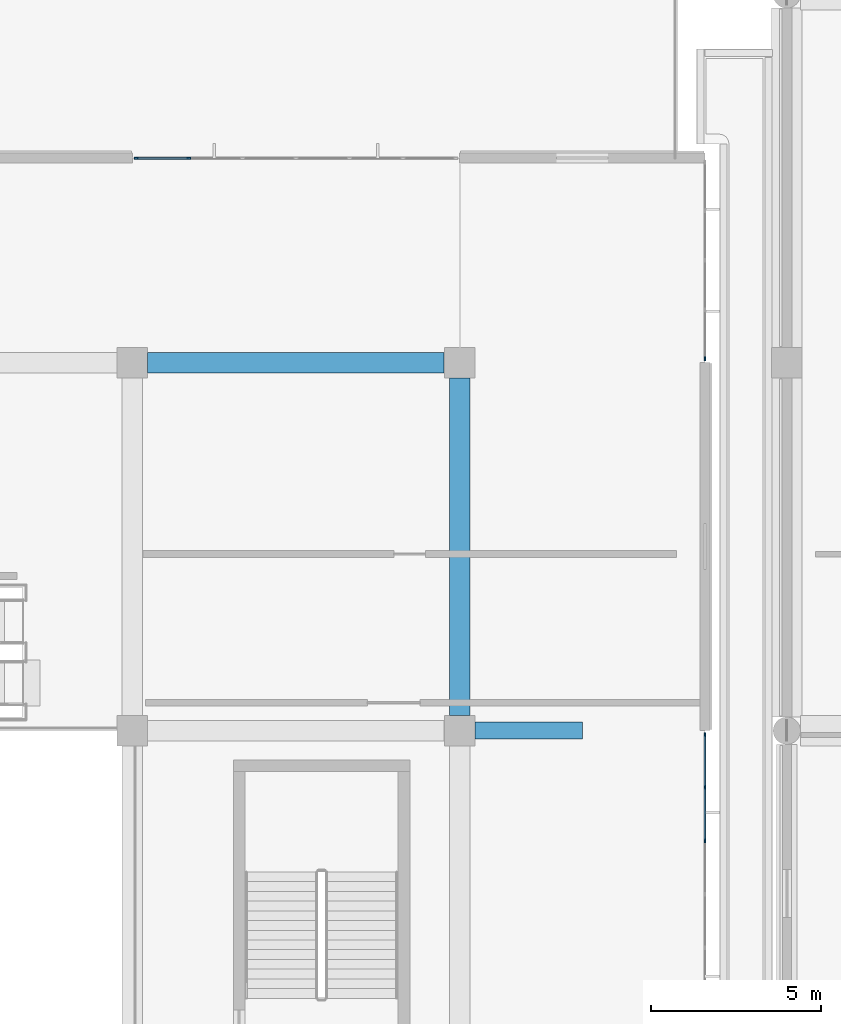
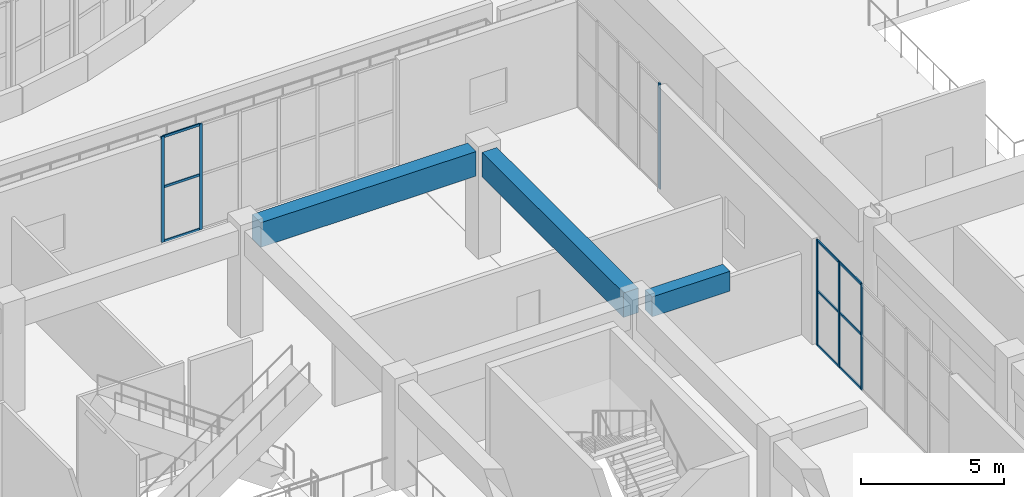
# One storey, part 14 of 96: 15 members, 3 beams, 3 elements without a shape of their own.
"""IFC4 building model written with IfcOpenShell, lengths in metres."""

import ifcopenshell
import ifcopenshell.guid

model = None  # the IFC model being written
_history = None  # IfcOwnerHistory: only IFC2X3 demands one
_inside = {}  # id of a spatial element -> (the spatial element, [elements in it])
_under = {}  # id of a project, library or spatial element -> (it, [spatial elements below it])
_declared = {}  # id of a project -> (the project, [libraries it declares])
_typed = {}  # id of a type object -> (the type object, [elements of that type])
_made_of = {}  # id of a material, layer set ... -> (it, [elements and type objects made of it])


def new_model(schema):
    """Start an empty IFC model of exactly this schema.

    Asked for "IFC4X3", IfcOpenShell would pick the latest addendum, in which some entities
    have other attributes; the version numbers below select the first issue.
    IFC2X3 requires an IfcOwnerHistory on every rooted entity: one is made here for all.
    """
    global model, _history
    if schema == "IFC4X3":
        model = ifcopenshell.file(schema_version=(4, 3, 0, 0))
    else:
        model = ifcopenshell.file(schema=schema)
    _inside.clear()
    _under.clear()
    _declared.clear()
    _typed.clear()
    _made_of.clear()
    _history = None
    if model.schema == "IFC2X3":
        org = make("IfcOrganization", Name="unknown")
        user = make(
            "IfcPersonAndOrganization",
            ThePerson=make("IfcPerson", FamilyName="unknown"),
            TheOrganization=org,
        )
        app = make(
            "IfcApplication",
            ApplicationDeveloper=org,
            Version="unknown",
            ApplicationFullName="unknown",
            ApplicationIdentifier="unknown",
        )
        _history = make(
            "IfcOwnerHistory",
            OwningUser=user,
            OwningApplication=app,
            ChangeAction="ADDED",
            CreationDate=0,
        )
    return model


def make(cls, **values):
    """One entity of the class cls with the attributes given. An attribute that is None is left unset."""
    return model.create_entity(
        cls, **{name: value for name, value in values.items() if value is not None}
    )


def rooted(cls, **values):
    """An entity with a GlobalId (a new one), such as an element, a storey or a relation."""
    return make(cls, GlobalId=ifcopenshell.guid.new(), OwnerHistory=_history, **values)


def si_unit(unit_type, name, prefix=None):
    """IfcSIUnit, for example si_unit("LENGTHUNIT", "METRE", prefix="MILLI")."""
    return make("IfcSIUnit", UnitType=unit_type, Prefix=prefix, Name=name)


def assignment(units):
    """IfcUnitAssignment: the units of a project."""
    return None if units is None else make("IfcUnitAssignment", Units=units)


def point(xyz):
    """IfcCartesianPoint."""
    return None if xyz is None else make("IfcCartesianPoint", Coordinates=xyz)


def direction(xyz):
    """IfcDirection."""
    return None if xyz is None else make("IfcDirection", DirectionRatios=xyz)


def frame(location, z_axis=None, x_axis=None):
    """IfcAxis2Placement3D, a coordinate frame: its origin and axes. An axis left out is left unset."""
    return make(
        "IfcAxis2Placement3D",
        Location=point(location),
        Axis=direction(z_axis),
        RefDirection=direction(x_axis),
    )


def frame_2d(location, x_axis=None):
    """IfcAxis2Placement2D, a coordinate frame in the plane: its origin and x axis."""
    return make(
        "IfcAxis2Placement2D", Location=point(location), RefDirection=direction(x_axis)
    )


def origin():
    """The frame at (0, 0, 0) with its axes left unset."""
    return frame((0.0, 0.0, 0.0))


def origin_2d():
    """The frame at (0, 0) in the plane with its x axis left unset."""
    return frame_2d((0.0, 0.0))


def place(relative_to, where):
    """IfcLocalPlacement: puts the frame where relative to a parent placement (None: the world)."""
    return make(
        "IfcLocalPlacement", PlacementRelTo=relative_to, RelativePlacement=where
    )


def context(
    kind, dimensions, precision=None, world=None, true_north=None, identifier=None
):
    """IfcGeometricRepresentationContext, for example the 3D "Model" context."""
    return make(
        "IfcGeometricRepresentationContext",
        ContextIdentifier=identifier,
        ContextType=kind,
        CoordinateSpaceDimension=dimensions,
        Precision=precision,
        WorldCoordinateSystem=world,
        TrueNorth=true_north,
    )


def subcontext(parent, identifier, kind, view, scale=None):
    """IfcGeometricRepresentationSubContext, for example "Body" below "Model"."""
    return make(
        "IfcGeometricRepresentationSubContext",
        ContextIdentifier=identifier,
        ContextType=kind,
        ParentContext=parent,
        TargetScale=scale,
        TargetView=view,
    )


def project(units=None, contexts=None):
    """IfcProject with its units and contexts."""
    return rooted(
        "IfcProject",
        Name="project",
        RepresentationContexts=contexts,
        UnitsInContext=assignment(units),
    )


def spatial(cls, under=None, at=None, **own):
    """A site, building, storey or space (cls), placed at a placement, below another one or the project."""
    s = rooted(cls, ObjectPlacement=at, **own)
    if under is not None:
        _under.setdefault(under.id(), (under, []))[1].append(s)
    return s


def profile(cls, at=None, kind="AREA", **sizes):
    """A parametric profile (cls). Its sizes go by their IFC names, for example OverallWidth=200.0."""
    return make(cls, ProfileType=kind, Position=at, **sizes)


def rectangle(**sizes):
    """IfcRectangleProfileDef."""
    return profile("IfcRectangleProfileDef", **sizes)


def extrude(swept, where, along, depth):
    """IfcExtrudedAreaSolid: the profile swept, set in the frame where, extruded along a direction by depth."""
    return make(
        "IfcExtrudedAreaSolid",
        SweptArea=swept,
        Position=where,
        ExtrudedDirection=direction(along),
        Depth=depth,
    )


def shape(context_of_items, identifier, shape_type, items):
    """IfcShapeRepresentation: the items that make up one representation, for example the "Body"."""
    return make(
        "IfcShapeRepresentation",
        ContextOfItems=context_of_items,
        RepresentationIdentifier=identifier,
        RepresentationType=shape_type,
        Items=items,
    )


def material(Name=None, Category=None):
    """IfcMaterial."""
    return make("IfcMaterial", Name=Name, Category=Category)


def layer(
    of_material, thickness, ventilated=None, Name=None, Category=None, Priority=None
):
    """IfcMaterialLayer: one layer of a wall or slab, of a material (None: an air gap)."""
    return make(
        "IfcMaterialLayer",
        Material=of_material,
        LayerThickness=thickness,
        IsVentilated=ventilated,
        Name=Name,
        Category=Category,
        Priority=Priority,
    )


def layer_set(layers, Name=None):
    """IfcMaterialLayerSet."""
    return make("IfcMaterialLayerSet", MaterialLayers=layers, LayerSetName=Name)


def material_profile(
    of_material, cross_section, Name=None, Category=None, Priority=None
):
    """IfcMaterialProfile: a cross section and its material."""
    return make(
        "IfcMaterialProfile",
        Name=Name,
        Material=of_material,
        Profile=cross_section,
        Priority=Priority,
        Category=Category,
    )


def profile_set(profiles, Name=None, composite=None):
    """IfcMaterialProfileSet."""
    return make(
        "IfcMaterialProfileSet",
        Name=Name,
        MaterialProfiles=profiles,
        CompositeProfile=composite,
    )


def made_of(thing, what):
    """Note that an element or type object is made of a material, layer set ...; save() writes the relation."""
    if what is not None:
        _made_of.setdefault(what.id(), (what, []))[1].append(thing)
    return thing


def type_object(cls, material=None, **own):
    """A type object (cls), such as IfcWallType, which elements share."""
    return made_of(rooted(cls, **own), material)


def element(
    cls,
    number,
    at=None,
    inside=None,
    cuts=None,
    type_object=None,
    material=None,
    context=None,
    identifier="Body",
    shape_type=None,
    held_by="IfcProductDefinitionShape",
    body=None,
    shapes=None,
    **own,
):
    """One element of the class cls, such as IfcWall. Its Tag is "e" and its number.

    at: its placement. inside: the storey or other place that contains it. cuts: it is an
    opening in that element (IfcRelVoidsElement). A single representation is given by context,
    identifier, shape_type and body (its items); several are given by shapes. held_by: the class
    of the entity that holds the representations. save() writes the other relations.
    """
    e = rooted(cls, Tag="e%d" % number, ObjectPlacement=at, **own)
    if body is not None:
        shapes = [shape(context, identifier, shape_type, body)]
    if shapes is not None:
        e.Representation = make(held_by, Representations=shapes)
    if inside is not None:
        _inside.setdefault(inside.id(), (inside, []))[1].append(e)
    if cuts is not None:
        rooted(
            "IfcRelVoidsElement", RelatingBuildingElement=cuts, RelatedOpeningElement=e
        )
    if type_object is not None:
        _typed.setdefault(type_object.id(), (type_object, []))[1].append(e)
    return made_of(e, material)


def aggregate(whole, parts):
    """IfcRelAggregates: a whole, such as a stair, and the parts it consists of."""
    return rooted("IfcRelAggregates", RelatingObject=whole, RelatedObjects=parts)


def save(model, path):
    """Write the relations noted so far, then the file.

    IfcRelAggregates (storeys below a building ...), IfcRelContainedInSpatialStructure (elements
    in a storey), IfcRelDefinesByType, IfcRelAssociatesMaterial and IfcRelDeclares: one each for
    every whole, place, type object, material and project.
    """
    for whole, parts in _under.values():
        aggregate(whole, parts)
    for where, things in _inside.values():
        rooted(
            "IfcRelContainedInSpatialStructure",
            RelatedElements=things,
            RelatingStructure=where,
        )
    for kind, things in _typed.values():
        rooted("IfcRelDefinesByType", RelatedObjects=things, RelatingType=kind)
    for what, things in _made_of.values():
        rooted("IfcRelAssociatesMaterial", RelatedObjects=things, RelatingMaterial=what)
    for by, libraries in _declared.values():
        rooted("IfcRelDeclares", RelatingContext=by, RelatedDefinitions=libraries)
    model.write(path)


model = new_model("IFC4")

# Units and contexts
model_context = context("Model", 3, precision=1e-05, world=origin(), true_north=direction((0.0, 1.0)))
body_context = subcontext(model_context, "Body", "Model", "MODEL_VIEW")
ifc_project = project(units=[si_unit("LENGTHUNIT", "METRE"), si_unit("AREAUNIT", "SQUARE_METRE"), si_unit("VOLUMEUNIT", "CUBIC_METRE"), si_unit("PLANEANGLEUNIT", "RADIAN"), si_unit("MASSUNIT", "GRAM", prefix="KILO")], contexts=[model_context])

# Site, building, storey
site_placement = place(None, origin())
site = spatial("IfcSite", under=ifc_project, at=site_placement, CompositionType="ELEMENT")
building_placement = place(site_placement, origin())
building = spatial("IfcBuilding", under=site, at=building_placement, Name="Cendralis Terraced Arcade", CompositionType="ELEMENT")
storey_placement = place(building_placement, frame((0.0, 0.0, 10.199951171875)))
storey = spatial("IfcBuildingStorey", under=building, at=storey_placement, Name="L02", CompositionType="ELEMENT", Elevation=10.199951171875)

# Beams
ifc_material_1 = material(Name="Concrete f'c 35 MPa", Category="concrete")
ifc_material_profile_1 = material_profile(ifc_material_1, rectangle(XDim=0.60009765625, YDim=1.050048828125, at=origin_2d()), Name="RC-BM-600x1050", Category="LoadBearing")
ifc_profile_set_1 = profile_set([ifc_material_profile_1], Name="Concrete f'c 35 MPa")
beam_type_1 = type_object("IfcBeamType", Name="BM-600x1050", PredefinedType="JOIST", material=ifc_profile_set_1)
beam_1_placement = place(storey_placement, frame((48.449951171875, 49.199951171875, 3.989990234375), z_axis=(1.0, 0.0, 0.0), x_axis=(0.0, 1.0, 0.0)))
element("IfcBeam", 1, at=beam_1_placement, inside=storey, type_object=beam_type_1, Name="Reinforced Concrete Frame Beam BM-X-L03-F-6_7", PredefinedType="JOIST", context=body_context, shape_type="SweptSolid", body=[
    extrude(rectangle(XDim=0.60009765625, YDim=1.050048828125, at=origin_2d()), origin(), (0.0, 0.0, 1.0), 8.699951171875),
])
beam_2_placement = place(storey_placement, frame((57.60009765625, 38.85009765625, 3.989990234375), z_axis=(0.0, 1.0, 0.0), x_axis=(-1.0, 0.0, 0.0)))
element("IfcBeam", 2, at=beam_2_placement, inside=storey, type_object=beam_type_1, Name="Reinforced Concrete Frame Beam BM-Y-L03-7-E_F", PredefinedType="JOIST", context=body_context, shape_type="SweptSolid", body=[
    extrude(rectangle(XDim=0.60009765625, YDim=1.050048828125, at=origin_2d()), origin(), (0.0, 0.0, 1.0), 9.89990234375),
])
ifc_material_profile_2 = material_profile(ifc_material_1, rectangle(XDim=0.5, YDim=0.85009765625, at=origin_2d()), Name="RC-BM-500x850", Category="LoadBearing")
ifc_profile_set_2 = profile_set([ifc_material_profile_2], Name="Concrete f'c 35 MPa")
beam_type_2 = type_object("IfcBeamType", Name="BM-TER-500x850", PredefinedType="BEAM", material=ifc_profile_set_2)
beam_3_placement = place(storey_placement, frame((58.050048828125, 38.39990234375, 4.080078125), z_axis=(1.0, 0.0, 0.0), x_axis=(0.0, 1.0, 0.0)))
element("IfcBeam", 3, at=beam_3_placement, inside=storey, type_object=beam_type_2, Name="Terrace Bracket Girder TER-L03-V1-E", PredefinedType="BEAM", context=body_context, shape_type="SweptSolid", body=[
    extrude(rectangle(XDim=0.5, YDim=0.85009765625, at=origin_2d()), origin(), (0.0, 0.0, 1.0), 3.14990234375),
])

# Curtain wall, members
ifc_material_2 = material(Name="Anodised aluminium EN AW-6063 T6", Category="aluminium")
ifc_layer = layer(ifc_material_2, 0.1201171875, Name="CW-STORE-B")
ifc_layer_set = layer_set([ifc_layer], Name="Anodised aluminium EN AW-6063 T6")
curtain_wall_type = type_object("IfcCurtainWallType", Name="CW-STORE-B", PredefinedType="USERDEFINED", material=ifc_layer_set)
curtain_wall_1_placement = place(storey_placement, origin())
curtain_wall_1 = element("IfcCurtainWall", 4, at=curtain_wall_1_placement, inside=storey, type_object=curtain_wall_type, Name="Exterior Storefront Glazing CW-L02-0224", ObjectType="STOREFRONT GLAZING", PredefinedType="USERDEFINED")
ifc_material_profile_3 = material_profile(ifc_material_2, rectangle(XDim=0.054931640625, YDim=0.1201171875, at=origin_2d()), Name="ALU-MUL-55x120")
ifc_profile_set_3 = profile_set([ifc_material_profile_3], Name="Anodised aluminium EN AW-6063 T6")
member_type_1 = type_object("IfcMemberType", Name="CW-STORE-B-MUL", PredefinedType="MULLION", material=ifc_profile_set_3)
member_1_placement = place(storey_placement, frame((48.117431640625, 55.199951171875, 0.0), z_axis=(0.0, 0.0, 1.0), x_axis=(0.0, 1.0, 0.0)))
member_1 = element("IfcMember", 5, at=member_1_placement, type_object=member_type_1, Name="CW-S2 mullion 1", PredefinedType="MULLION", context=body_context, shape_type="SweptSolid", body=[
    extrude(rectangle(XDim=0.054931640625, YDim=0.1201171875, at=origin_2d()), origin(), (0.0, 0.0, 1.0), 4.51513671875),
])
member_2_placement = place(storey_placement, frame((49.659912109375, 55.199951171875, 0.0), z_axis=(0.0, 0.0, 1.0), x_axis=(0.0, 1.0, 0.0)))
member_2 = element("IfcMember", 6, at=member_2_placement, type_object=member_type_1, Name="CW-S2 mullion 2", PredefinedType="MULLION", context=body_context, shape_type="SweptSolid", body=[
    extrude(rectangle(XDim=0.054931640625, YDim=0.1201171875, at=origin_2d()), origin(), (0.0, 0.0, 1.0), 4.51513671875),
])

# Curtain wall, member
curtain_wall_2_placement = place(storey_placement, origin())
curtain_wall_2 = element("IfcCurtainWall", 7, at=curtain_wall_2_placement, inside=storey, type_object=curtain_wall_type, Name="Exterior Storefront Glazing CW-L02-0225", ObjectType="STOREFRONT GLAZING", PredefinedType="USERDEFINED")
member_3_placement = place(storey_placement, frame((64.800048828125, 49.3173828125, 0.0), z_axis=(0.0, 0.0, 1.0), x_axis=(1.0, 0.0, 0.0)))
member_3 = element("IfcMember", 8, at=member_3_placement, type_object=member_type_1, Name="CW-S2 mullion 5", PredefinedType="MULLION", context=body_context, shape_type="SweptSolid", body=[
    extrude(rectangle(XDim=0.054931640625, YDim=0.1201171875, at=origin_2d()), origin(), (0.0, 0.0, 1.0), 4.51513671875),
])
aggregate(curtain_wall_2, [member_3])

# Curtain wall, members
curtain_wall_3_placement = place(storey_placement, origin())
curtain_wall_3 = element("IfcCurtainWall", 9, at=curtain_wall_3_placement, inside=storey, type_object=curtain_wall_type, Name="Exterior Storefront Glazing CW-L02-0226", ObjectType="STOREFRONT GLAZING", PredefinedType="USERDEFINED")
member_4_placement = place(storey_placement, frame((64.800048828125, 38.282470703125, 0.0), z_axis=(0.0, 0.0, 1.0), x_axis=(1.0, 0.0, 0.0)))
member_4 = element("IfcMember", 10, at=member_4_placement, type_object=member_type_1, Name="CW-S2 mullion 1", PredefinedType="MULLION", context=body_context, shape_type="SweptSolid", body=[
    extrude(rectangle(XDim=0.054931640625, YDim=0.1201171875, at=origin_2d()), origin(), (0.0, 0.0, 1.0), 4.51513671875),
])
member_5_placement = place(storey_placement, frame((64.800048828125, 36.739990234375, 0.0), z_axis=(0.0, 0.0, 1.0), x_axis=(1.0, 0.0, 0.0)))
member_5 = element("IfcMember", 11, at=member_5_placement, type_object=member_type_1, Name="CW-S2 mullion 2", PredefinedType="MULLION", context=body_context, shape_type="SweptSolid", body=[
    extrude(rectangle(XDim=0.054931640625, YDim=0.1201171875, at=origin_2d()), origin(), (0.0, 0.0, 1.0), 4.51513671875),
])
member_6_placement = place(storey_placement, frame((64.800048828125, 35.169921875, 0.0), z_axis=(0.0, 0.0, 1.0), x_axis=(1.0, 0.0, 0.0)))
member_6 = element("IfcMember", 12, at=member_6_placement, type_object=member_type_1, Name="CW-S2 mullion 3", PredefinedType="MULLION", context=body_context, shape_type="SweptSolid", body=[
    extrude(rectangle(XDim=0.054931640625, YDim=0.1201171875, at=origin_2d()), origin(), (0.0, 0.0, 1.0), 4.51513671875),
])

# Member
ifc_material_profile_4 = material_profile(ifc_material_2, rectangle(XDim=0.054931640625, YDim=0.10009765625, at=origin_2d()), Name="ALU-TRN-55x100")
ifc_profile_set_4 = profile_set([ifc_material_profile_4], Name="Anodised aluminium EN AW-6063 T6")
member_type_2 = type_object("IfcMemberType", Name="CW-STORE-B-TRN", PredefinedType="USERDEFINED", material=ifc_profile_set_4)
member_7_placement = place(storey_placement, frame((48.14501953125, 55.199951171875, 0.027587890625), z_axis=(1.0, 0.0, 0.0), x_axis=(0.0, 1.0, 0.0)))
member_7 = element("IfcMember", 13, at=member_7_placement, type_object=member_type_2, Name="CW-S2 transom 1.1", ObjectType="TRANSOM", PredefinedType="USERDEFINED", context=body_context, shape_type="SweptSolid", body=[
    extrude(rectangle(XDim=0.054931640625, YDim=0.10009765625, at=origin_2d()), origin(), (0.0, 0.0, 1.0), 1.487548828125),
])

member_8_placement = place(storey_placement, frame((48.14501953125, 55.199951171875, 2.347900390625), z_axis=(1.0, 0.0, 0.0), x_axis=(0.0, 1.0, 0.0)))
member_8 = element("IfcMember", 14, at=member_8_placement, type_object=member_type_2, Name="CW-S2 transom 1.2", ObjectType="TRANSOM", PredefinedType="USERDEFINED", context=body_context, shape_type="SweptSolid", body=[
    extrude(rectangle(XDim=0.054931640625, YDim=0.10009765625, at=origin_2d()), origin(), (0.0, 0.0, 1.0), 1.487548828125),
])

member_9_placement = place(storey_placement, frame((48.14501953125, 55.199951171875, 4.487548828125), z_axis=(1.0, 0.0, 0.0), x_axis=(0.0, 1.0, 0.0)))
member_9 = element("IfcMember", 15, at=member_9_placement, type_object=member_type_2, Name="CW-S2 transom 1.3", ObjectType="TRANSOM", PredefinedType="USERDEFINED", context=body_context, shape_type="SweptSolid", body=[
    extrude(rectangle(XDim=0.054931640625, YDim=0.10009765625, at=origin_2d()), origin(), (0.0, 0.0, 1.0), 1.487548828125),
])

aggregate(curtain_wall_1, [member_1, member_2, member_7, member_8, member_9])

member_10_placement = place(storey_placement, frame((64.800048828125, 38.2548828125, 0.027587890625), z_axis=(0.0, -1.0, 0.0), x_axis=(1.0, 0.0, 0.0)))
member_10 = element("IfcMember", 16, at=member_10_placement, type_object=member_type_2, Name="CW-S2 transom 1.1", ObjectType="TRANSOM", PredefinedType="USERDEFINED", context=body_context, shape_type="SweptSolid", body=[
    extrude(rectangle(XDim=0.054931640625, YDim=0.10009765625, at=origin_2d()), origin(), (0.0, 0.0, 1.0), 1.4873046875),
])

member_11_placement = place(storey_placement, frame((64.800048828125, 38.2548828125, 2.347900390625), z_axis=(0.0, -1.0, 0.0), x_axis=(1.0, 0.0, 0.0)))
member_11 = element("IfcMember", 17, at=member_11_placement, type_object=member_type_2, Name="CW-S2 transom 1.2", ObjectType="TRANSOM", PredefinedType="USERDEFINED", context=body_context, shape_type="SweptSolid", body=[
    extrude(rectangle(XDim=0.054931640625, YDim=0.10009765625, at=origin_2d()), origin(), (0.0, 0.0, 1.0), 1.4873046875),
])

member_12_placement = place(storey_placement, frame((64.800048828125, 38.2548828125, 4.487548828125), z_axis=(0.0, -1.0, 0.0), x_axis=(1.0, 0.0, 0.0)))
member_12 = element("IfcMember", 18, at=member_12_placement, type_object=member_type_2, Name="CW-S2 transom 1.3", ObjectType="TRANSOM", PredefinedType="USERDEFINED", context=body_context, shape_type="SweptSolid", body=[
    extrude(rectangle(XDim=0.054931640625, YDim=0.10009765625, at=origin_2d()), origin(), (0.0, 0.0, 1.0), 1.4873046875),
])

member_13_placement = place(storey_placement, frame((64.800048828125, 36.71240234375, 0.027587890625), z_axis=(0.0, -1.0, 0.0), x_axis=(1.0, 0.0, 0.0)))
member_13 = element("IfcMember", 19, at=member_13_placement, type_object=member_type_2, Name="CW-S2 transom 2.1", ObjectType="TRANSOM", PredefinedType="USERDEFINED", context=body_context, shape_type="SweptSolid", body=[
    extrude(rectangle(XDim=0.054931640625, YDim=0.10009765625, at=origin_2d()), origin(), (0.0, 0.0, 1.0), 1.514892578125),
])

member_14_placement = place(storey_placement, frame((64.800048828125, 36.71240234375, 2.347900390625), z_axis=(0.0, -1.0, 0.0), x_axis=(1.0, 0.0, 0.0)))
member_14 = element("IfcMember", 20, at=member_14_placement, type_object=member_type_2, Name="CW-S2 transom 2.2", ObjectType="TRANSOM", PredefinedType="USERDEFINED", context=body_context, shape_type="SweptSolid", body=[
    extrude(rectangle(XDim=0.054931640625, YDim=0.10009765625, at=origin_2d()), origin(), (0.0, 0.0, 1.0), 1.514892578125),
])

member_15_placement = place(storey_placement, frame((64.800048828125, 36.71240234375, 4.487548828125), z_axis=(0.0, -1.0, 0.0), x_axis=(1.0, 0.0, 0.0)))
member_15 = element("IfcMember", 21, at=member_15_placement, type_object=member_type_2, Name="CW-S2 transom 2.3", ObjectType="TRANSOM", PredefinedType="USERDEFINED", context=body_context, shape_type="SweptSolid", body=[
    extrude(rectangle(XDim=0.054931640625, YDim=0.10009765625, at=origin_2d()), origin(), (0.0, 0.0, 1.0), 1.514892578125),
])

aggregate(curtain_wall_3, [member_4, member_5, member_6, member_10, member_11, member_12, member_13, member_14, member_15])

save(model, "model.ifc")
